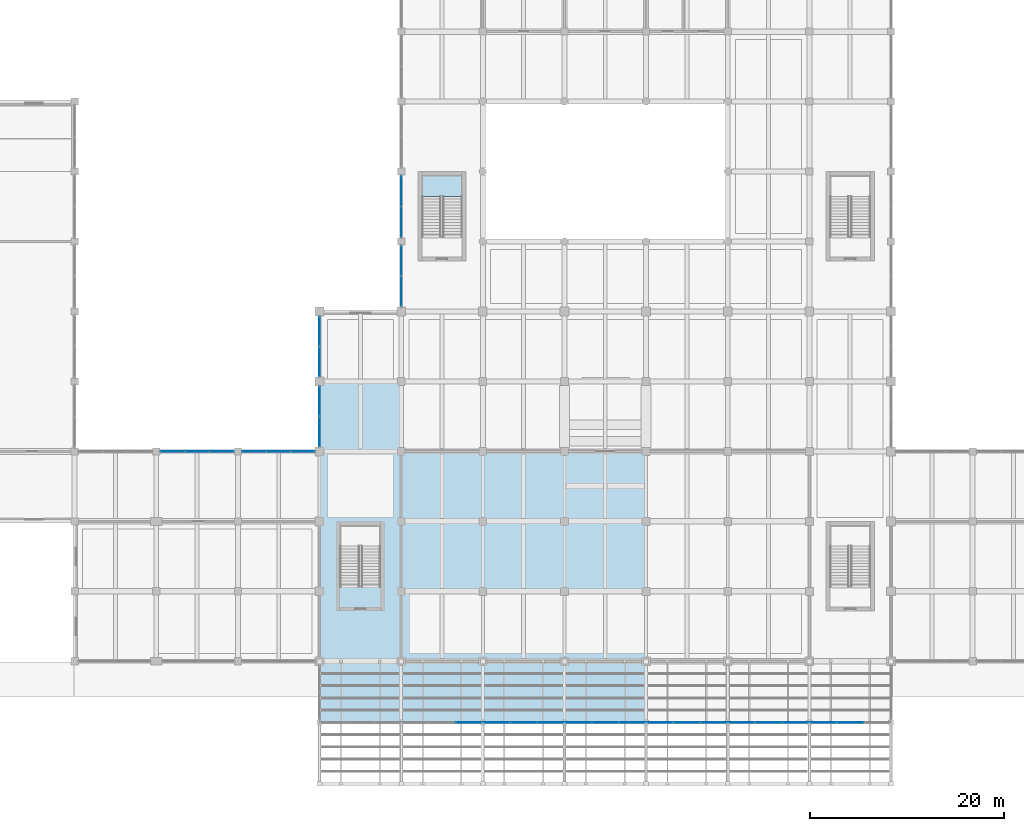
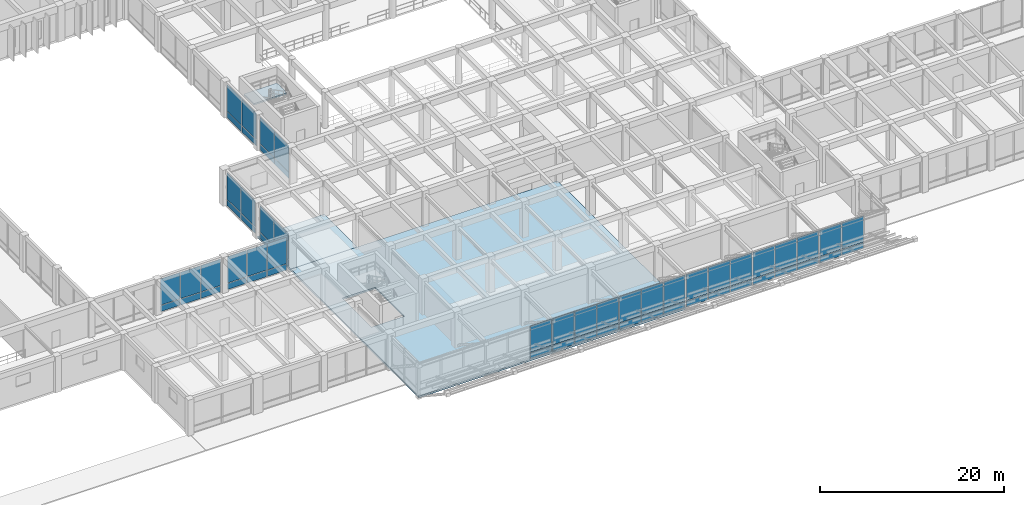
# One storey, part 28 of 52: 58 plates, 3 slabs, 13 elements without a shape of their own.
"""IFC4 building model written with IfcOpenShell, lengths in metres."""

import ifcopenshell
import ifcopenshell.guid

model = None  # the IFC model being written
_history = None  # IfcOwnerHistory: only IFC2X3 demands one
_inside = {}  # id of a spatial element -> (the spatial element, [elements in it])
_under = {}  # id of a project, library or spatial element -> (it, [spatial elements below it])
_declared = {}  # id of a project -> (the project, [libraries it declares])
_typed = {}  # id of a type object -> (the type object, [elements of that type])
_made_of = {}  # id of a material, layer set ... -> (it, [elements and type objects made of it])


def new_model(schema):
    """Start an empty IFC model of exactly this schema.

    Asked for "IFC4X3", IfcOpenShell would pick the latest addendum, in which some entities
    have other attributes; the version numbers below select the first issue.
    IFC2X3 requires an IfcOwnerHistory on every rooted entity: one is made here for all.
    """
    global model, _history
    if schema == "IFC4X3":
        model = ifcopenshell.file(schema_version=(4, 3, 0, 0))
    else:
        model = ifcopenshell.file(schema=schema)
    _inside.clear()
    _under.clear()
    _declared.clear()
    _typed.clear()
    _made_of.clear()
    _history = None
    if model.schema == "IFC2X3":
        org = make("IfcOrganization", Name="unknown")
        user = make(
            "IfcPersonAndOrganization",
            ThePerson=make("IfcPerson", FamilyName="unknown"),
            TheOrganization=org,
        )
        app = make(
            "IfcApplication",
            ApplicationDeveloper=org,
            Version="unknown",
            ApplicationFullName="unknown",
            ApplicationIdentifier="unknown",
        )
        _history = make(
            "IfcOwnerHistory",
            OwningUser=user,
            OwningApplication=app,
            ChangeAction="ADDED",
            CreationDate=0,
        )
    return model


def make(cls, **values):
    """One entity of the class cls with the attributes given. An attribute that is None is left unset."""
    return model.create_entity(
        cls, **{name: value for name, value in values.items() if value is not None}
    )


def rooted(cls, **values):
    """An entity with a GlobalId (a new one), such as an element, a storey or a relation."""
    return make(cls, GlobalId=ifcopenshell.guid.new(), OwnerHistory=_history, **values)


def si_unit(unit_type, name, prefix=None):
    """IfcSIUnit, for example si_unit("LENGTHUNIT", "METRE", prefix="MILLI")."""
    return make("IfcSIUnit", UnitType=unit_type, Prefix=prefix, Name=name)


def assignment(units):
    """IfcUnitAssignment: the units of a project."""
    return None if units is None else make("IfcUnitAssignment", Units=units)


def point(xyz):
    """IfcCartesianPoint."""
    return None if xyz is None else make("IfcCartesianPoint", Coordinates=xyz)


def direction(xyz):
    """IfcDirection."""
    return None if xyz is None else make("IfcDirection", DirectionRatios=xyz)


def frame(location, z_axis=None, x_axis=None):
    """IfcAxis2Placement3D, a coordinate frame: its origin and axes. An axis left out is left unset."""
    return make(
        "IfcAxis2Placement3D",
        Location=point(location),
        Axis=direction(z_axis),
        RefDirection=direction(x_axis),
    )


def frame_2d(location, x_axis=None):
    """IfcAxis2Placement2D, a coordinate frame in the plane: its origin and x axis."""
    return make(
        "IfcAxis2Placement2D", Location=point(location), RefDirection=direction(x_axis)
    )


def origin():
    """The frame at (0, 0, 0) with its axes left unset."""
    return frame((0.0, 0.0, 0.0))


def origin_2d():
    """The frame at (0, 0) in the plane with its x axis left unset."""
    return frame_2d((0.0, 0.0))


def place(relative_to, where):
    """IfcLocalPlacement: puts the frame where relative to a parent placement (None: the world)."""
    return make(
        "IfcLocalPlacement", PlacementRelTo=relative_to, RelativePlacement=where
    )


def context(
    kind, dimensions, precision=None, world=None, true_north=None, identifier=None
):
    """IfcGeometricRepresentationContext, for example the 3D "Model" context."""
    return make(
        "IfcGeometricRepresentationContext",
        ContextIdentifier=identifier,
        ContextType=kind,
        CoordinateSpaceDimension=dimensions,
        Precision=precision,
        WorldCoordinateSystem=world,
        TrueNorth=true_north,
    )


def subcontext(parent, identifier, kind, view, scale=None):
    """IfcGeometricRepresentationSubContext, for example "Body" below "Model"."""
    return make(
        "IfcGeometricRepresentationSubContext",
        ContextIdentifier=identifier,
        ContextType=kind,
        ParentContext=parent,
        TargetScale=scale,
        TargetView=view,
    )


def project(units=None, contexts=None):
    """IfcProject with its units and contexts."""
    return rooted(
        "IfcProject",
        Name="project",
        RepresentationContexts=contexts,
        UnitsInContext=assignment(units),
    )


def spatial(cls, under=None, at=None, **own):
    """A site, building, storey or space (cls), placed at a placement, below another one or the project."""
    s = rooted(cls, ObjectPlacement=at, **own)
    if under is not None:
        _under.setdefault(under.id(), (under, []))[1].append(s)
    return s


def polyline(points):
    """IfcPolyline through the points."""
    return make("IfcPolyline", Points=[point(p) for p in points])


def profile(cls, at=None, kind="AREA", **sizes):
    """A parametric profile (cls). Its sizes go by their IFC names, for example OverallWidth=200.0."""
    return make(cls, ProfileType=kind, Position=at, **sizes)


def rectangle(**sizes):
    """IfcRectangleProfileDef."""
    return profile("IfcRectangleProfileDef", **sizes)


def outline(outer, holes=None, kind="AREA"):
    """IfcArbitraryClosedProfileDef: a profile drawn as a closed curve; with holes, ...WithVoids."""
    if holes is None:
        return make("IfcArbitraryClosedProfileDef", ProfileType=kind, OuterCurve=outer)
    return make(
        "IfcArbitraryProfileDefWithVoids",
        ProfileType=kind,
        OuterCurve=outer,
        InnerCurves=holes,
    )


def extrude(swept, where, along, depth):
    """IfcExtrudedAreaSolid: the profile swept, set in the frame where, extruded along a direction by depth."""
    return make(
        "IfcExtrudedAreaSolid",
        SweptArea=swept,
        Position=where,
        ExtrudedDirection=direction(along),
        Depth=depth,
    )


def shape(context_of_items, identifier, shape_type, items):
    """IfcShapeRepresentation: the items that make up one representation, for example the "Body"."""
    return make(
        "IfcShapeRepresentation",
        ContextOfItems=context_of_items,
        RepresentationIdentifier=identifier,
        RepresentationType=shape_type,
        Items=items,
    )


def material(Name=None, Category=None):
    """IfcMaterial."""
    return make("IfcMaterial", Name=Name, Category=Category)


def layer(
    of_material, thickness, ventilated=None, Name=None, Category=None, Priority=None
):
    """IfcMaterialLayer: one layer of a wall or slab, of a material (None: an air gap)."""
    return make(
        "IfcMaterialLayer",
        Material=of_material,
        LayerThickness=thickness,
        IsVentilated=ventilated,
        Name=Name,
        Category=Category,
        Priority=Priority,
    )


def layer_set(layers, Name=None):
    """IfcMaterialLayerSet."""
    return make("IfcMaterialLayerSet", MaterialLayers=layers, LayerSetName=Name)


def made_of(thing, what):
    """Note that an element or type object is made of a material, layer set ...; save() writes the relation."""
    if what is not None:
        _made_of.setdefault(what.id(), (what, []))[1].append(thing)
    return thing


def type_object(cls, material=None, **own):
    """A type object (cls), such as IfcWallType, which elements share."""
    return made_of(rooted(cls, **own), material)


def element(
    cls,
    number,
    at=None,
    inside=None,
    cuts=None,
    type_object=None,
    material=None,
    context=None,
    identifier="Body",
    shape_type=None,
    held_by="IfcProductDefinitionShape",
    body=None,
    shapes=None,
    **own,
):
    """One element of the class cls, such as IfcWall. Its Tag is "e" and its number.

    at: its placement. inside: the storey or other place that contains it. cuts: it is an
    opening in that element (IfcRelVoidsElement). A single representation is given by context,
    identifier, shape_type and body (its items); several are given by shapes. held_by: the class
    of the entity that holds the representations. save() writes the other relations.
    """
    e = rooted(cls, Tag="e%d" % number, ObjectPlacement=at, **own)
    if body is not None:
        shapes = [shape(context, identifier, shape_type, body)]
    if shapes is not None:
        e.Representation = make(held_by, Representations=shapes)
    if inside is not None:
        _inside.setdefault(inside.id(), (inside, []))[1].append(e)
    if cuts is not None:
        rooted(
            "IfcRelVoidsElement", RelatingBuildingElement=cuts, RelatedOpeningElement=e
        )
    if type_object is not None:
        _typed.setdefault(type_object.id(), (type_object, []))[1].append(e)
    return made_of(e, material)


def aggregate(whole, parts):
    """IfcRelAggregates: a whole, such as a stair, and the parts it consists of."""
    return rooted("IfcRelAggregates", RelatingObject=whole, RelatedObjects=parts)


def save(model, path):
    """Write the relations noted so far, then the file.

    IfcRelAggregates (storeys below a building ...), IfcRelContainedInSpatialStructure (elements
    in a storey), IfcRelDefinesByType, IfcRelAssociatesMaterial and IfcRelDeclares: one each for
    every whole, place, type object, material and project.
    """
    for whole, parts in _under.values():
        aggregate(whole, parts)
    for where, things in _inside.values():
        rooted(
            "IfcRelContainedInSpatialStructure",
            RelatedElements=things,
            RelatingStructure=where,
        )
    for kind, things in _typed.values():
        rooted("IfcRelDefinesByType", RelatedObjects=things, RelatingType=kind)
    for what, things in _made_of.values():
        rooted("IfcRelAssociatesMaterial", RelatedObjects=things, RelatingMaterial=what)
    for by, libraries in _declared.values():
        rooted("IfcRelDeclares", RelatingContext=by, RelatedDefinitions=libraries)
    model.write(path)


model = new_model("IFC4")

# Units and contexts
model_context = context("Model", 3, precision=1e-05, world=origin(), true_north=direction((0.0, 1.0)))
body_context = subcontext(model_context, "Body", "Model", "MODEL_VIEW")
ifc_project = project(units=[si_unit("LENGTHUNIT", "METRE"), si_unit("AREAUNIT", "SQUARE_METRE"), si_unit("VOLUMEUNIT", "CUBIC_METRE"), si_unit("PLANEANGLEUNIT", "RADIAN"), si_unit("MASSUNIT", "GRAM", prefix="KILO")], contexts=[model_context])

# Site, building, storey
site_placement = place(None, origin())
site = spatial("IfcSite", under=ifc_project, at=site_placement, CompositionType="ELEMENT")
building_placement = place(site_placement, origin())
building = spatial("IfcBuilding", under=site, at=building_placement, Name="Kenerak Square Central Library", CompositionType="ELEMENT")
storey_placement = place(building_placement, frame((0.0, 0.0, 4.800048828125)))
storey = spatial("IfcBuildingStorey", under=building, at=storey_placement, Name="L01", CompositionType="ELEMENT", Elevation=4.800048828125)

# Slabs
ifc_material_1 = material(Name="Concrete C40/50", Category="concrete")
ifc_layer_1 = layer(ifc_material_1, 0.22509765625)
ifc_layer_set_1 = layer_set([ifc_layer_1], Name="Concrete C40/50")
slab_type_1 = type_object("IfcSlabType", Name="General Reading Room Slab FS-225 C40/50", PredefinedType="FLOOR", material=ifc_layer_set_1)
slab_1_placement = place(storey_placement, frame((0.0, 0.0, -0.22509765625)))
element("IfcSlab", 1, at=slab_1_placement, inside=storey, type_object=slab_type_1, Name="V1 Floor Slab L01 007", PredefinedType="FLOOR", context=body_context, shape_type="SweptSolid", body=[
    extrude(outline(polyline([(58.39990234375, 10.5), (58.39990234375, 38.39990234375), (92.0, 38.39990234375), (92.0, 10.5), (58.39990234375, 10.5)]), holes=[polyline([(64.679931640625, 24.449951171875), (64.679931640625, 30.800048828125), (60.52001953125, 30.800048828125), (60.52001953125, 24.449951171875), (64.679931640625, 24.449951171875)])]), origin(), (0.0, 0.0, 1.0), 0.22509765625),
])
slab_2_placement = place(storey_placement, frame((0.0, 0.0, -0.22509765625)))
element("IfcSlab", 2, at=slab_2_placement, inside=storey, type_object=slab_type_1, Name="V1 Floor Slab L01 009", PredefinedType="FLOOR", context=body_context, shape_type="SweptSolid", body=[
    extrude(outline(polyline([(66.800048828125, 38.39990234375), (66.800048828125, 45.60009765625), (58.39990234375, 45.60009765625), (58.39990234375, 38.39990234375), (66.800048828125, 38.39990234375)])), origin(), (0.0, 0.0, 1.0), 0.22509765625),
])

# Curtain wall, plates
ifc_material_2 = material(Name="Anodised aluminium and solar-control low-E glazing", Category="aluminium")
curtain_wall_type_1 = type_object("IfcCurtainWallType", Name="Curtain Wall CW-V4-63x45 6375x4500", PredefinedType="USERDEFINED", material=ifc_material_2)
curtain_wall_1_placement = place(storey_placement, origin())
curtain_wall_1 = element("IfcCurtainWall", 3, at=curtain_wall_1_placement, inside=storey, type_object=curtain_wall_type_1, Name="Curtain Wall CW-V4-63x45 L01 0023", ObjectType="CURTAIN WALL", PredefinedType="USERDEFINED")
ifc_material_3 = material(Name="Solar-control low-E laminated double glazing", Category="glass")
ifc_layer_2 = layer(ifc_material_3, 0.02392578125)
ifc_layer_set_2 = layer_set([ifc_layer_2], Name="Solar-control low-E laminated double glazing")
plate_type_1 = type_object("IfcPlateType", Name="Low-E Double Glazed Curtain Panel CP-24", PredefinedType="CURTAIN_PANEL", material=ifc_layer_set_2)
plate_1_placement = place(storey_placement, frame((66.800048828125, 54.860107421875, 0.06494140625), z_axis=(0.0, 0.0, 1.0), x_axis=(0.0, 1.0, 0.0)))
plate_1 = element("IfcPlate", 4, at=plate_1_placement, type_object=plate_type_1, Name="CW-V4-63x45 Panel 1.1", PredefinedType="CURTAIN_PANEL", context=body_context, shape_type="SweptSolid", body=[
    extrude(rectangle(XDim=3.090087890625, YDim=0.02392578125, at=origin_2d()), origin(), (0.0, 0.0, 1.0), 0.802490234375),
])
plate_2_placement = place(storey_placement, frame((66.800048828125, 54.860107421875, 0.932373046875), z_axis=(0.0, 0.0, 1.0), x_axis=(0.0, 1.0, 0.0)))
plate_2 = element("IfcPlate", 5, at=plate_2_placement, type_object=plate_type_1, Name="CW-V4-63x45 Panel 1.2", PredefinedType="CURTAIN_PANEL", context=body_context, shape_type="SweptSolid", body=[
    extrude(rectangle(XDim=3.090087890625, YDim=0.02392578125, at=origin_2d()), origin(), (0.0, 0.0, 1.0), 3.50244140625),
])
plate_3_placement = place(storey_placement, frame((66.800048828125, 58.014892578125, 0.06494140625), z_axis=(0.0, 0.0, 1.0), x_axis=(0.0, 1.0, 0.0)))
plate_3 = element("IfcPlate", 6, at=plate_3_placement, type_object=plate_type_1, Name="CW-V4-63x45 Panel 2.1", PredefinedType="CURTAIN_PANEL", context=body_context, shape_type="SweptSolid", body=[
    extrude(rectangle(XDim=3.090087890625, YDim=0.02392578125, at=origin_2d()), origin(), (0.0, 0.0, 1.0), 0.802490234375),
])
plate_4_placement = place(storey_placement, frame((66.800048828125, 58.014892578125, 0.932373046875), z_axis=(0.0, 0.0, 1.0), x_axis=(0.0, 1.0, 0.0)))
plate_4 = element("IfcPlate", 7, at=plate_4_placement, type_object=plate_type_1, Name="CW-V4-63x45 Panel 2.2", PredefinedType="CURTAIN_PANEL", context=body_context, shape_type="SweptSolid", body=[
    extrude(rectangle(XDim=3.090087890625, YDim=0.02392578125, at=origin_2d()), origin(), (0.0, 0.0, 1.0), 3.50244140625),
])
aggregate(curtain_wall_1, [plate_1, plate_2, plate_3, plate_4])

curtain_wall_type_2 = type_object("IfcCurtainWallType", Name="Curtain Wall CW-V4-64x45 6450x4500", PredefinedType="USERDEFINED", material=ifc_material_2)
curtain_wall_2_placement = place(storey_placement, origin())
curtain_wall_2 = element("IfcCurtainWall", 8, at=curtain_wall_2_placement, inside=storey, type_object=curtain_wall_type_2, Name="Curtain Wall CW-V4-64x45 L01 0024", ObjectType="CURTAIN WALL", PredefinedType="USERDEFINED")
plate_5_placement = place(storey_placement, frame((66.800048828125, 62.003662109375, 0.06494140625), z_axis=(0.0, 0.0, 1.0), x_axis=(0.0, 1.0, 0.0)))
plate_5 = element("IfcPlate", 9, at=plate_5_placement, type_object=plate_type_1, Name="CW-V4-64x45 Panel 1.1", PredefinedType="CURTAIN_PANEL", context=body_context, shape_type="SweptSolid", body=[
    extrude(rectangle(XDim=3.12744140625, YDim=0.02392578125, at=origin_2d()), origin(), (0.0, 0.0, 1.0), 0.802490234375),
])
plate_6_placement = place(storey_placement, frame((66.800048828125, 62.003662109375, 0.932373046875), z_axis=(0.0, 0.0, 1.0), x_axis=(0.0, 1.0, 0.0)))
plate_6 = element("IfcPlate", 10, at=plate_6_placement, type_object=plate_type_1, Name="CW-V4-64x45 Panel 1.2", PredefinedType="CURTAIN_PANEL", context=body_context, shape_type="SweptSolid", body=[
    extrude(rectangle(XDim=3.12744140625, YDim=0.02392578125, at=origin_2d()), origin(), (0.0, 0.0, 1.0), 3.50244140625),
])
plate_7_placement = place(storey_placement, frame((66.800048828125, 65.1962890625, 0.06494140625), z_axis=(0.0, 0.0, 1.0), x_axis=(0.0, 1.0, 0.0)))
plate_7 = element("IfcPlate", 11, at=plate_7_placement, type_object=plate_type_1, Name="CW-V4-64x45 Panel 2.1", PredefinedType="CURTAIN_PANEL", context=body_context, shape_type="SweptSolid", body=[
    extrude(rectangle(XDim=3.12744140625, YDim=0.02392578125, at=origin_2d()), origin(), (0.0, 0.0, 1.0), 0.802490234375),
])
plate_8_placement = place(storey_placement, frame((66.800048828125, 65.1962890625, 0.932373046875), z_axis=(0.0, 0.0, 1.0), x_axis=(0.0, 1.0, 0.0)))
plate_8 = element("IfcPlate", 12, at=plate_8_placement, type_object=plate_type_1, Name="CW-V4-64x45 Panel 2.2", PredefinedType="CURTAIN_PANEL", context=body_context, shape_type="SweptSolid", body=[
    extrude(rectangle(XDim=3.12744140625, YDim=0.02392578125, at=origin_2d()), origin(), (0.0, 0.0, 1.0), 3.50244140625),
])
aggregate(curtain_wall_2, [plate_5, plate_6, plate_7, plate_8])

curtain_wall_type_3 = type_object("IfcCurtainWallType", Name="Curtain Wall CW-V6-76x45 7650x4500", PredefinedType="USERDEFINED", material=ifc_material_2)
curtain_wall_3_placement = place(storey_placement, origin())
curtain_wall_3 = element("IfcCurtainWall", 13, at=curtain_wall_3_placement, inside=storey, type_object=curtain_wall_type_3, Name="Curtain Wall CW-V6-76x45 L01 0065", ObjectType="CURTAIN WALL", PredefinedType="USERDEFINED")
plate_9_placement = place(storey_placement, frame((43.266357421875, 38.39990234375, 0.06494140625), z_axis=(0.0, 0.0, 1.0), x_axis=(1.0, 0.0, 0.0)))
plate_9 = element("IfcPlate", 14, at=plate_9_placement, type_object=plate_type_1, Name="CW-V6-76x45 Panel 1.1", PredefinedType="CURTAIN_PANEL", context=body_context, shape_type="SweptSolid", body=[
    extrude(rectangle(XDim=2.452392578125, YDim=0.02392578125, at=origin_2d()), origin(), (0.0, 0.0, 1.0), 0.802490234375),
])
plate_10_placement = place(storey_placement, frame((43.266357421875, 38.39990234375, 0.932373046875), z_axis=(0.0, 0.0, 1.0), x_axis=(1.0, 0.0, 0.0)))
plate_10 = element("IfcPlate", 15, at=plate_10_placement, type_object=plate_type_1, Name="CW-V6-76x45 Panel 1.2", PredefinedType="CURTAIN_PANEL", context=body_context, shape_type="SweptSolid", body=[
    extrude(rectangle(XDim=2.452392578125, YDim=0.02392578125, at=origin_2d()), origin(), (0.0, 0.0, 1.0), 3.50244140625),
])
plate_11_placement = place(storey_placement, frame((45.800048828125, 38.39990234375, 0.06494140625), z_axis=(0.0, 0.0, 1.0), x_axis=(1.0, 0.0, 0.0)))
plate_11 = element("IfcPlate", 16, at=plate_11_placement, type_object=plate_type_1, Name="CW-V6-76x45 Panel 2.1", PredefinedType="CURTAIN_PANEL", context=body_context, shape_type="SweptSolid", body=[
    extrude(rectangle(XDim=2.485107421875, YDim=0.02392578125, at=origin_2d()), origin(), (0.0, 0.0, 1.0), 0.802490234375),
])
plate_12_placement = place(storey_placement, frame((45.800048828125, 38.39990234375, 0.932373046875), z_axis=(0.0, 0.0, 1.0), x_axis=(1.0, 0.0, 0.0)))
plate_12 = element("IfcPlate", 17, at=plate_12_placement, type_object=plate_type_1, Name="CW-V6-76x45 Panel 2.2", PredefinedType="CURTAIN_PANEL", context=body_context, shape_type="SweptSolid", body=[
    extrude(rectangle(XDim=2.485107421875, YDim=0.02392578125, at=origin_2d()), origin(), (0.0, 0.0, 1.0), 3.50244140625),
])
plate_13_placement = place(storey_placement, frame((48.333740234375, 38.39990234375, 0.06494140625), z_axis=(0.0, 0.0, 1.0), x_axis=(1.0, 0.0, 0.0)))
plate_13 = element("IfcPlate", 18, at=plate_13_placement, type_object=plate_type_1, Name="CW-V6-76x45 Panel 3.1", PredefinedType="CURTAIN_PANEL", context=body_context, shape_type="SweptSolid", body=[
    extrude(rectangle(XDim=2.452392578125, YDim=0.02392578125, at=origin_2d()), origin(), (0.0, 0.0, 1.0), 0.802490234375),
])
plate_14_placement = place(storey_placement, frame((48.333740234375, 38.39990234375, 0.932373046875), z_axis=(0.0, 0.0, 1.0), x_axis=(1.0, 0.0, 0.0)))
plate_14 = element("IfcPlate", 19, at=plate_14_placement, type_object=plate_type_1, Name="CW-V6-76x45 Panel 3.2", PredefinedType="CURTAIN_PANEL", context=body_context, shape_type="SweptSolid", body=[
    extrude(rectangle(XDim=2.452392578125, YDim=0.02392578125, at=origin_2d()), origin(), (0.0, 0.0, 1.0), 3.50244140625),
])
aggregate(curtain_wall_3, [plate_9, plate_10, plate_11, plate_12, plate_13, plate_14])

curtain_wall_type_4 = type_object("IfcCurtainWallType", Name="Curtain Wall CW-V6-75x45 7575x4500", PredefinedType="USERDEFINED", material=ifc_material_2)
curtain_wall_4_placement = place(storey_placement, origin())
curtain_wall_4 = element("IfcCurtainWall", 20, at=curtain_wall_4_placement, inside=storey, type_object=curtain_wall_type_4, Name="Curtain Wall CW-V6-75x45 L01 0066", ObjectType="CURTAIN WALL", PredefinedType="USERDEFINED")
plate_15_placement = place(storey_placement, frame((51.65380859375, 38.39990234375, 0.06494140625), z_axis=(0.0, 0.0, 1.0), x_axis=(1.0, 0.0, 0.0)))
plate_15 = element("IfcPlate", 21, at=plate_15_placement, type_object=plate_type_1, Name="CW-V6-75x45 Panel 1.1", PredefinedType="CURTAIN_PANEL", context=body_context, shape_type="SweptSolid", body=[
    extrude(rectangle(XDim=2.427490234375, YDim=0.02392578125, at=origin_2d()), origin(), (0.0, 0.0, 1.0), 0.802490234375),
])
plate_16_placement = place(storey_placement, frame((51.65380859375, 38.39990234375, 0.932373046875), z_axis=(0.0, 0.0, 1.0), x_axis=(1.0, 0.0, 0.0)))
plate_16 = element("IfcPlate", 22, at=plate_16_placement, type_object=plate_type_1, Name="CW-V6-75x45 Panel 1.2", PredefinedType="CURTAIN_PANEL", context=body_context, shape_type="SweptSolid", body=[
    extrude(rectangle(XDim=2.427490234375, YDim=0.02392578125, at=origin_2d()), origin(), (0.0, 0.0, 1.0), 3.50244140625),
])
plate_17_placement = place(storey_placement, frame((54.16259765625, 38.39990234375, 0.06494140625), z_axis=(0.0, 0.0, 1.0), x_axis=(1.0, 0.0, 0.0)))
plate_17 = element("IfcPlate", 23, at=plate_17_placement, type_object=plate_type_1, Name="CW-V6-75x45 Panel 2.1", PredefinedType="CURTAIN_PANEL", context=body_context, shape_type="SweptSolid", body=[
    extrude(rectangle(XDim=2.4599609375, YDim=0.02392578125, at=origin_2d()), origin(), (0.0, 0.0, 1.0), 0.802490234375),
])
plate_18_placement = place(storey_placement, frame((54.16259765625, 38.39990234375, 0.932373046875), z_axis=(0.0, 0.0, 1.0), x_axis=(1.0, 0.0, 0.0)))
plate_18 = element("IfcPlate", 24, at=plate_18_placement, type_object=plate_type_1, Name="CW-V6-75x45 Panel 2.2", PredefinedType="CURTAIN_PANEL", context=body_context, shape_type="SweptSolid", body=[
    extrude(rectangle(XDim=2.4599609375, YDim=0.02392578125, at=origin_2d()), origin(), (0.0, 0.0, 1.0), 3.50244140625),
])
plate_19_placement = place(storey_placement, frame((56.671142578125, 38.39990234375, 0.06494140625), z_axis=(0.0, 0.0, 1.0), x_axis=(1.0, 0.0, 0.0)))
plate_19 = element("IfcPlate", 25, at=plate_19_placement, type_object=plate_type_1, Name="CW-V6-75x45 Panel 3.1", PredefinedType="CURTAIN_PANEL", context=body_context, shape_type="SweptSolid", body=[
    extrude(rectangle(XDim=2.427490234375, YDim=0.02392578125, at=origin_2d()), origin(), (0.0, 0.0, 1.0), 0.802490234375),
])
plate_20_placement = place(storey_placement, frame((56.671142578125, 38.39990234375, 0.932373046875), z_axis=(0.0, 0.0, 1.0), x_axis=(1.0, 0.0, 0.0)))
plate_20 = element("IfcPlate", 26, at=plate_20_placement, type_object=plate_type_1, Name="CW-V6-75x45 Panel 3.2", PredefinedType="CURTAIN_PANEL", context=body_context, shape_type="SweptSolid", body=[
    extrude(rectangle(XDim=2.427490234375, YDim=0.02392578125, at=origin_2d()), origin(), (0.0, 0.0, 1.0), 3.50244140625),
])
aggregate(curtain_wall_4, [plate_15, plate_16, plate_17, plate_18, plate_19, plate_20])

# Stair, slab
stair_type = type_object("IfcStairType", Name="Exit Dogleg Stair ST-480 C40/50", PredefinedType="HALF_TURN_STAIR", material=ifc_material_1)
stair_placement = place(storey_placement, origin())
stair = element("IfcStair", 27, at=stair_placement, inside=storey, type_object=stair_type, Name="L01 Protected Exit Stair ST-08", PredefinedType="HALF_TURN_STAIR")
ifc_layer_3 = layer(ifc_material_1, 0.199951171875)
ifc_layer_set_3 = layer_set([ifc_layer_3], Name="Concrete C40/50")
slab_type_2 = type_object("IfcSlabType", Name="Stair Half-Landing Slab LD-200 C40/50", PredefinedType="LANDING", material=ifc_layer_set_3)
slab_3_placement = place(storey_placement, frame((0.0, 0.0, 2.199951171875)))
slab_3 = element("IfcSlab", 28, at=slab_3_placement, type_object=slab_type_2, Name="ST-08 Landing 1", PredefinedType="LANDING", context=body_context, shape_type="SweptSolid", body=[
    extrude(outline(polyline([(73.080078125, 64.64990234375), (73.080078125, 66.800048828125), (68.919921875, 66.800048828125), (68.919921875, 64.64990234375), (73.080078125, 64.64990234375)])), origin(), (0.0, 0.0, 1.0), 0.199951171875),
])
aggregate(stair, [slab_3])

# Curtain wall, plates
curtain_wall_type_5 = type_object("IfcCurtainWallType", Name="Curtain Wall CW-V1-63x45 6300x4500", PredefinedType="USERDEFINED", material=ifc_material_2)
curtain_wall_5_placement = place(storey_placement, origin())
curtain_wall_5 = element("IfcCurtainWall", 29, at=curtain_wall_5_placement, inside=storey, type_object=curtain_wall_type_5, Name="Curtain Wall CW-V1-63x45 L01 0021", ObjectType="CURTAIN WALL", PredefinedType="USERDEFINED")
ifc_material_4 = material(Name="Triple-laminated solar-control low-E glazing", Category="glass")
ifc_layer_4 = layer(ifc_material_4, 0.031982421875)
ifc_layer_set_4 = layer_set([ifc_layer_4], Name="Triple-laminated solar-control low-E glazing")
plate_type_2 = type_object("IfcPlateType", Name="Triple-Laminated Reading Hall Panel CP-32", PredefinedType="CURTAIN_PANEL", material=ifc_layer_set_4)
plate_21_placement = place(storey_placement, frame((58.39990234375, 40.44384765625, 0.074951171875), z_axis=(0.0, 0.0, 1.0), x_axis=(0.0, 1.0, 0.0)))
plate_21 = element("IfcPlate", 30, at=plate_21_placement, type_object=plate_type_2, Name="CW-V1-63x45 Panel 1.1", PredefinedType="CURTAIN_PANEL", context=body_context, shape_type="SweptSolid", body=[
    extrude(rectangle(XDim=3.03759765625, YDim=0.031982421875, at=origin_2d()), origin(), (0.0, 0.0, 1.0), 0.78759765625),
])
plate_22_placement = place(storey_placement, frame((58.39990234375, 40.44384765625, 0.9375), z_axis=(0.0, 0.0, 1.0), x_axis=(0.0, 1.0, 0.0)))
plate_22 = element("IfcPlate", 31, at=plate_22_placement, type_object=plate_type_2, Name="CW-V1-63x45 Panel 1.2", PredefinedType="CURTAIN_PANEL", context=body_context, shape_type="SweptSolid", body=[
    extrude(rectangle(XDim=3.03759765625, YDim=0.031982421875, at=origin_2d()), origin(), (0.0, 0.0, 1.0), 3.487548828125),
])
plate_23_placement = place(storey_placement, frame((58.39990234375, 43.55615234375, 0.074951171875), z_axis=(0.0, 0.0, 1.0), x_axis=(0.0, 1.0, 0.0)))
plate_23 = element("IfcPlate", 32, at=plate_23_placement, type_object=plate_type_2, Name="CW-V1-63x45 Panel 2.1", PredefinedType="CURTAIN_PANEL", context=body_context, shape_type="SweptSolid", body=[
    extrude(rectangle(XDim=3.03759765625, YDim=0.031982421875, at=origin_2d()), origin(), (0.0, 0.0, 1.0), 0.78759765625),
])
plate_24_placement = place(storey_placement, frame((58.39990234375, 43.55615234375, 0.9375), z_axis=(0.0, 0.0, 1.0), x_axis=(0.0, 1.0, 0.0)))
plate_24 = element("IfcPlate", 33, at=plate_24_placement, type_object=plate_type_2, Name="CW-V1-63x45 Panel 2.2", PredefinedType="CURTAIN_PANEL", context=body_context, shape_type="SweptSolid", body=[
    extrude(rectangle(XDim=3.03759765625, YDim=0.031982421875, at=origin_2d()), origin(), (0.0, 0.0, 1.0), 3.487548828125),
])
aggregate(curtain_wall_5, [plate_21, plate_22, plate_23, plate_24])

curtain_wall_6_placement = place(storey_placement, origin())
curtain_wall_6 = element("IfcCurtainWall", 34, at=curtain_wall_6_placement, inside=storey, type_object=curtain_wall_type_5, Name="Curtain Wall CW-V1-63x45 L01 0022", ObjectType="CURTAIN WALL", PredefinedType="USERDEFINED")
plate_25_placement = place(storey_placement, frame((58.39990234375, 47.643798828125, 0.074951171875), z_axis=(0.0, 0.0, 1.0), x_axis=(0.0, 1.0, 0.0)))
plate_25 = element("IfcPlate", 35, at=plate_25_placement, type_object=plate_type_2, Name="CW-V1-63x45 Panel 1.1", PredefinedType="CURTAIN_PANEL", context=body_context, shape_type="SweptSolid", body=[
    extrude(rectangle(XDim=3.03759765625, YDim=0.031982421875, at=origin_2d()), origin(), (0.0, 0.0, 1.0), 0.78759765625),
])
plate_26_placement = place(storey_placement, frame((58.39990234375, 47.643798828125, 0.9375), z_axis=(0.0, 0.0, 1.0), x_axis=(0.0, 1.0, 0.0)))
plate_26 = element("IfcPlate", 36, at=plate_26_placement, type_object=plate_type_2, Name="CW-V1-63x45 Panel 1.2", PredefinedType="CURTAIN_PANEL", context=body_context, shape_type="SweptSolid", body=[
    extrude(rectangle(XDim=3.03759765625, YDim=0.031982421875, at=origin_2d()), origin(), (0.0, 0.0, 1.0), 3.487548828125),
])
plate_27_placement = place(storey_placement, frame((58.39990234375, 50.75634765625, 0.074951171875), z_axis=(0.0, 0.0, 1.0), x_axis=(0.0, 1.0, 0.0)))
plate_27 = element("IfcPlate", 37, at=plate_27_placement, type_object=plate_type_2, Name="CW-V1-63x45 Panel 2.1", PredefinedType="CURTAIN_PANEL", context=body_context, shape_type="SweptSolid", body=[
    extrude(rectangle(XDim=3.03759765625, YDim=0.031982421875, at=origin_2d()), origin(), (0.0, 0.0, 1.0), 0.78759765625),
])
plate_28_placement = place(storey_placement, frame((58.39990234375, 50.75634765625, 0.9375), z_axis=(0.0, 0.0, 1.0), x_axis=(0.0, 1.0, 0.0)))
plate_28 = element("IfcPlate", 38, at=plate_28_placement, type_object=plate_type_2, Name="CW-V1-63x45 Panel 2.2", PredefinedType="CURTAIN_PANEL", context=body_context, shape_type="SweptSolid", body=[
    extrude(rectangle(XDim=3.03759765625, YDim=0.031982421875, at=origin_2d()), origin(), (0.0, 0.0, 1.0), 3.487548828125),
])
aggregate(curtain_wall_6, [plate_25, plate_26, plate_27, plate_28])

curtain_wall_type_6 = type_object("IfcCurtainWallType", Name="Curtain Wall CW-V1-84x45 8400x4500", PredefinedType="USERDEFINED", material=ifc_material_2)
curtain_wall_7_placement = place(storey_placement, origin())
curtain_wall_7 = element("IfcCurtainWall", 39, at=curtain_wall_7_placement, inside=storey, type_object=curtain_wall_type_6, Name="Curtain Wall CW-V1-84x45 L01 0048", ObjectType="CURTAIN WALL", PredefinedType="USERDEFINED")
plate_29_placement = place(storey_placement, frame((113.0, 10.5, 0.074951171875), z_axis=(0.0, 0.0, 1.0), x_axis=(-1.0, 0.0, 0.0)))
plate_29 = element("IfcPlate", 40, at=plate_29_placement, type_object=plate_type_2, Name="CW-V1-84x45 Panel 2.1", PredefinedType="CURTAIN_PANEL", context=body_context, shape_type="SweptSolid", body=[
    extrude(rectangle(XDim=2.72509765625, YDim=0.031982421875, at=origin_2d()), origin(), (0.0, 0.0, 1.0), 0.78759765625),
])
plate_30_placement = place(storey_placement, frame((113.0, 10.5, 0.9375), z_axis=(0.0, 0.0, 1.0), x_axis=(-1.0, 0.0, 0.0)))
plate_30 = element("IfcPlate", 41, at=plate_30_placement, type_object=plate_type_2, Name="CW-V1-84x45 Panel 2.2", PredefinedType="CURTAIN_PANEL", context=body_context, shape_type="SweptSolid", body=[
    extrude(rectangle(XDim=2.72509765625, YDim=0.031982421875, at=origin_2d()), origin(), (0.0, 0.0, 1.0), 3.487548828125),
])
plate_31_placement = place(storey_placement, frame((110.21875, 10.5, 0.074951171875), z_axis=(0.0, 0.0, 1.0), x_axis=(-1.0, 0.0, 0.0)))
plate_31 = element("IfcPlate", 42, at=plate_31_placement, type_object=plate_type_2, Name="CW-V1-84x45 Panel 3.1", PredefinedType="CURTAIN_PANEL", context=body_context, shape_type="SweptSolid", body=[
    extrude(rectangle(XDim=2.6875, YDim=0.031982421875, at=origin_2d()), origin(), (0.0, 0.0, 1.0), 0.78759765625),
])
plate_32_placement = place(storey_placement, frame((110.21875, 10.5, 0.9375), z_axis=(0.0, 0.0, 1.0), x_axis=(-1.0, 0.0, 0.0)))
plate_32 = element("IfcPlate", 43, at=plate_32_placement, type_object=plate_type_2, Name="CW-V1-84x45 Panel 3.2", PredefinedType="CURTAIN_PANEL", context=body_context, shape_type="SweptSolid", body=[
    extrude(rectangle(XDim=2.6875, YDim=0.031982421875, at=origin_2d()), origin(), (0.0, 0.0, 1.0), 3.487548828125),
])
aggregate(curtain_wall_7, [plate_29, plate_30, plate_31, plate_32])

curtain_wall_8_placement = place(storey_placement, origin())
curtain_wall_8 = element("IfcCurtainWall", 44, at=curtain_wall_8_placement, inside=storey, type_object=curtain_wall_type_6, Name="Curtain Wall CW-V1-84x45 L01 0049", ObjectType="CURTAIN WALL", PredefinedType="USERDEFINED")
plate_33_placement = place(storey_placement, frame((107.38134765625, 10.5, 0.074951171875), z_axis=(0.0, 0.0, 1.0), x_axis=(-1.0, 0.0, 0.0)))
plate_33 = element("IfcPlate", 45, at=plate_33_placement, type_object=plate_type_2, Name="CW-V1-84x45 Panel 1.1", PredefinedType="CURTAIN_PANEL", context=body_context, shape_type="SweptSolid", body=[
    extrude(rectangle(XDim=2.6875, YDim=0.031982421875, at=origin_2d()), origin(), (0.0, 0.0, 1.0), 0.78759765625),
])
plate_34_placement = place(storey_placement, frame((107.38134765625, 10.5, 0.9375), z_axis=(0.0, 0.0, 1.0), x_axis=(-1.0, 0.0, 0.0)))
plate_34 = element("IfcPlate", 46, at=plate_34_placement, type_object=plate_type_2, Name="CW-V1-84x45 Panel 1.2", PredefinedType="CURTAIN_PANEL", context=body_context, shape_type="SweptSolid", body=[
    extrude(rectangle(XDim=2.6875, YDim=0.031982421875, at=origin_2d()), origin(), (0.0, 0.0, 1.0), 3.487548828125),
])
plate_35_placement = place(storey_placement, frame((104.60009765625, 10.5, 0.074951171875), z_axis=(0.0, 0.0, 1.0), x_axis=(-1.0, 0.0, 0.0)))
plate_35 = element("IfcPlate", 47, at=plate_35_placement, type_object=plate_type_2, Name="CW-V1-84x45 Panel 2.1", PredefinedType="CURTAIN_PANEL", context=body_context, shape_type="SweptSolid", body=[
    extrude(rectangle(XDim=2.72509765625, YDim=0.031982421875, at=origin_2d()), origin(), (0.0, 0.0, 1.0), 0.78759765625),
])
plate_36_placement = place(storey_placement, frame((104.60009765625, 10.5, 0.9375), z_axis=(0.0, 0.0, 1.0), x_axis=(-1.0, 0.0, 0.0)))
plate_36 = element("IfcPlate", 48, at=plate_36_placement, type_object=plate_type_2, Name="CW-V1-84x45 Panel 2.2", PredefinedType="CURTAIN_PANEL", context=body_context, shape_type="SweptSolid", body=[
    extrude(rectangle(XDim=2.72509765625, YDim=0.031982421875, at=origin_2d()), origin(), (0.0, 0.0, 1.0), 3.487548828125),
])
plate_37_placement = place(storey_placement, frame((101.81884765625, 10.5, 0.074951171875), z_axis=(0.0, 0.0, 1.0), x_axis=(-1.0, 0.0, 0.0)))
plate_37 = element("IfcPlate", 49, at=plate_37_placement, type_object=plate_type_2, Name="CW-V1-84x45 Panel 3.1", PredefinedType="CURTAIN_PANEL", context=body_context, shape_type="SweptSolid", body=[
    extrude(rectangle(XDim=2.6875, YDim=0.031982421875, at=origin_2d()), origin(), (0.0, 0.0, 1.0), 0.78759765625),
])
plate_38_placement = place(storey_placement, frame((101.81884765625, 10.5, 0.9375), z_axis=(0.0, 0.0, 1.0), x_axis=(-1.0, 0.0, 0.0)))
plate_38 = element("IfcPlate", 50, at=plate_38_placement, type_object=plate_type_2, Name="CW-V1-84x45 Panel 3.2", PredefinedType="CURTAIN_PANEL", context=body_context, shape_type="SweptSolid", body=[
    extrude(rectangle(XDim=2.6875, YDim=0.031982421875, at=origin_2d()), origin(), (0.0, 0.0, 1.0), 3.487548828125),
])
aggregate(curtain_wall_8, [plate_33, plate_34, plate_35, plate_36, plate_37, plate_38])

curtain_wall_9_placement = place(storey_placement, origin())
curtain_wall_9 = element("IfcCurtainWall", 51, at=curtain_wall_9_placement, inside=storey, type_object=curtain_wall_type_6, Name="Curtain Wall CW-V1-84x45 L01 0050", ObjectType="CURTAIN WALL", PredefinedType="USERDEFINED")
plate_39_placement = place(storey_placement, frame((98.981201171875, 10.5, 0.074951171875), z_axis=(0.0, 0.0, 1.0), x_axis=(-1.0, 0.0, 0.0)))
plate_39 = element("IfcPlate", 52, at=plate_39_placement, type_object=plate_type_2, Name="CW-V1-84x45 Panel 1.1", PredefinedType="CURTAIN_PANEL", context=body_context, shape_type="SweptSolid", body=[
    extrude(rectangle(XDim=2.6875, YDim=0.031982421875, at=origin_2d()), origin(), (0.0, 0.0, 1.0), 0.78759765625),
])
plate_40_placement = place(storey_placement, frame((98.981201171875, 10.5, 0.9375), z_axis=(0.0, 0.0, 1.0), x_axis=(-1.0, 0.0, 0.0)))
plate_40 = element("IfcPlate", 53, at=plate_40_placement, type_object=plate_type_2, Name="CW-V1-84x45 Panel 1.2", PredefinedType="CURTAIN_PANEL", context=body_context, shape_type="SweptSolid", body=[
    extrude(rectangle(XDim=2.6875, YDim=0.031982421875, at=origin_2d()), origin(), (0.0, 0.0, 1.0), 3.487548828125),
])
plate_41_placement = place(storey_placement, frame((96.199951171875, 10.5, 0.074951171875), z_axis=(0.0, 0.0, 1.0), x_axis=(-1.0, 0.0, 0.0)))
plate_41 = element("IfcPlate", 54, at=plate_41_placement, type_object=plate_type_2, Name="CW-V1-84x45 Panel 2.1", PredefinedType="CURTAIN_PANEL", context=body_context, shape_type="SweptSolid", body=[
    extrude(rectangle(XDim=2.72509765625, YDim=0.031982421875, at=origin_2d()), origin(), (0.0, 0.0, 1.0), 0.78759765625),
])
plate_42_placement = place(storey_placement, frame((96.199951171875, 10.5, 0.9375), z_axis=(0.0, 0.0, 1.0), x_axis=(-1.0, 0.0, 0.0)))
plate_42 = element("IfcPlate", 55, at=plate_42_placement, type_object=plate_type_2, Name="CW-V1-84x45 Panel 2.2", PredefinedType="CURTAIN_PANEL", context=body_context, shape_type="SweptSolid", body=[
    extrude(rectangle(XDim=2.72509765625, YDim=0.031982421875, at=origin_2d()), origin(), (0.0, 0.0, 1.0), 3.487548828125),
])
plate_43_placement = place(storey_placement, frame((93.418701171875, 10.5, 0.074951171875), z_axis=(0.0, 0.0, 1.0), x_axis=(-1.0, 0.0, 0.0)))
plate_43 = element("IfcPlate", 56, at=plate_43_placement, type_object=plate_type_2, Name="CW-V1-84x45 Panel 3.1", PredefinedType="CURTAIN_PANEL", context=body_context, shape_type="SweptSolid", body=[
    extrude(rectangle(XDim=2.6875, YDim=0.031982421875, at=origin_2d()), origin(), (0.0, 0.0, 1.0), 0.78759765625),
])
plate_44_placement = place(storey_placement, frame((93.418701171875, 10.5, 0.9375), z_axis=(0.0, 0.0, 1.0), x_axis=(-1.0, 0.0, 0.0)))
plate_44 = element("IfcPlate", 57, at=plate_44_placement, type_object=plate_type_2, Name="CW-V1-84x45 Panel 3.2", PredefinedType="CURTAIN_PANEL", context=body_context, shape_type="SweptSolid", body=[
    extrude(rectangle(XDim=2.6875, YDim=0.031982421875, at=origin_2d()), origin(), (0.0, 0.0, 1.0), 3.487548828125),
])
aggregate(curtain_wall_9, [plate_39, plate_40, plate_41, plate_42, plate_43, plate_44])

curtain_wall_10_placement = place(storey_placement, origin())
curtain_wall_10 = element("IfcCurtainWall", 58, at=curtain_wall_10_placement, inside=storey, type_object=curtain_wall_type_6, Name="Curtain Wall CW-V1-84x45 L01 0051", ObjectType="CURTAIN WALL", PredefinedType="USERDEFINED")
plate_45_placement = place(storey_placement, frame((90.581298828125, 10.5, 0.074951171875), z_axis=(0.0, 0.0, 1.0), x_axis=(-1.0, 0.0, 0.0)))
plate_45 = element("IfcPlate", 59, at=plate_45_placement, type_object=plate_type_2, Name="CW-V1-84x45 Panel 1.1", PredefinedType="CURTAIN_PANEL", context=body_context, shape_type="SweptSolid", body=[
    extrude(rectangle(XDim=2.6875, YDim=0.031982421875, at=origin_2d()), origin(), (0.0, 0.0, 1.0), 0.78759765625),
])
plate_46_placement = place(storey_placement, frame((90.581298828125, 10.5, 0.9375), z_axis=(0.0, 0.0, 1.0), x_axis=(-1.0, 0.0, 0.0)))
plate_46 = element("IfcPlate", 60, at=plate_46_placement, type_object=plate_type_2, Name="CW-V1-84x45 Panel 1.2", PredefinedType="CURTAIN_PANEL", context=body_context, shape_type="SweptSolid", body=[
    extrude(rectangle(XDim=2.6875, YDim=0.031982421875, at=origin_2d()), origin(), (0.0, 0.0, 1.0), 3.487548828125),
])
plate_47_placement = place(storey_placement, frame((87.800048828125, 10.5, 0.074951171875), z_axis=(0.0, 0.0, 1.0), x_axis=(-1.0, 0.0, 0.0)))
plate_47 = element("IfcPlate", 61, at=plate_47_placement, type_object=plate_type_2, Name="CW-V1-84x45 Panel 2.1", PredefinedType="CURTAIN_PANEL", context=body_context, shape_type="SweptSolid", body=[
    extrude(rectangle(XDim=2.72509765625, YDim=0.031982421875, at=origin_2d()), origin(), (0.0, 0.0, 1.0), 0.78759765625),
])
plate_48_placement = place(storey_placement, frame((87.800048828125, 10.5, 0.9375), z_axis=(0.0, 0.0, 1.0), x_axis=(-1.0, 0.0, 0.0)))
plate_48 = element("IfcPlate", 62, at=plate_48_placement, type_object=plate_type_2, Name="CW-V1-84x45 Panel 2.2", PredefinedType="CURTAIN_PANEL", context=body_context, shape_type="SweptSolid", body=[
    extrude(rectangle(XDim=2.72509765625, YDim=0.031982421875, at=origin_2d()), origin(), (0.0, 0.0, 1.0), 3.487548828125),
])
plate_49_placement = place(storey_placement, frame((85.018798828125, 10.5, 0.074951171875), z_axis=(0.0, 0.0, 1.0), x_axis=(-1.0, 0.0, 0.0)))
plate_49 = element("IfcPlate", 63, at=plate_49_placement, type_object=plate_type_2, Name="CW-V1-84x45 Panel 3.1", PredefinedType="CURTAIN_PANEL", context=body_context, shape_type="SweptSolid", body=[
    extrude(rectangle(XDim=2.6875, YDim=0.031982421875, at=origin_2d()), origin(), (0.0, 0.0, 1.0), 0.78759765625),
])
plate_50_placement = place(storey_placement, frame((85.018798828125, 10.5, 0.9375), z_axis=(0.0, 0.0, 1.0), x_axis=(-1.0, 0.0, 0.0)))
plate_50 = element("IfcPlate", 64, at=plate_50_placement, type_object=plate_type_2, Name="CW-V1-84x45 Panel 3.2", PredefinedType="CURTAIN_PANEL", context=body_context, shape_type="SweptSolid", body=[
    extrude(rectangle(XDim=2.6875, YDim=0.031982421875, at=origin_2d()), origin(), (0.0, 0.0, 1.0), 3.487548828125),
])
aggregate(curtain_wall_10, [plate_45, plate_46, plate_47, plate_48, plate_49, plate_50])

curtain_wall_11_placement = place(storey_placement, origin())
curtain_wall_11 = element("IfcCurtainWall", 65, at=curtain_wall_11_placement, inside=storey, type_object=curtain_wall_type_6, Name="Curtain Wall CW-V1-84x45 L01 0052", ObjectType="CURTAIN WALL", PredefinedType="USERDEFINED")
plate_51_placement = place(storey_placement, frame((82.18115234375, 10.5, 0.074951171875), z_axis=(0.0, 0.0, 1.0), x_axis=(-1.0, 0.0, 0.0)))
plate_51 = element("IfcPlate", 66, at=plate_51_placement, type_object=plate_type_2, Name="CW-V1-84x45 Panel 1.1", PredefinedType="CURTAIN_PANEL", context=body_context, shape_type="SweptSolid", body=[
    extrude(rectangle(XDim=2.6875, YDim=0.031982421875, at=origin_2d()), origin(), (0.0, 0.0, 1.0), 0.78759765625),
])
plate_52_placement = place(storey_placement, frame((82.18115234375, 10.5, 0.9375), z_axis=(0.0, 0.0, 1.0), x_axis=(-1.0, 0.0, 0.0)))
plate_52 = element("IfcPlate", 67, at=plate_52_placement, type_object=plate_type_2, Name="CW-V1-84x45 Panel 1.2", PredefinedType="CURTAIN_PANEL", context=body_context, shape_type="SweptSolid", body=[
    extrude(rectangle(XDim=2.6875, YDim=0.031982421875, at=origin_2d()), origin(), (0.0, 0.0, 1.0), 3.487548828125),
])
plate_53_placement = place(storey_placement, frame((79.39990234375, 10.5, 0.074951171875), z_axis=(0.0, 0.0, 1.0), x_axis=(-1.0, 0.0, 0.0)))
plate_53 = element("IfcPlate", 68, at=plate_53_placement, type_object=plate_type_2, Name="CW-V1-84x45 Panel 2.1", PredefinedType="CURTAIN_PANEL", context=body_context, shape_type="SweptSolid", body=[
    extrude(rectangle(XDim=2.72509765625, YDim=0.031982421875, at=origin_2d()), origin(), (0.0, 0.0, 1.0), 0.78759765625),
])
plate_54_placement = place(storey_placement, frame((79.39990234375, 10.5, 0.9375), z_axis=(0.0, 0.0, 1.0), x_axis=(-1.0, 0.0, 0.0)))
plate_54 = element("IfcPlate", 69, at=plate_54_placement, type_object=plate_type_2, Name="CW-V1-84x45 Panel 2.2", PredefinedType="CURTAIN_PANEL", context=body_context, shape_type="SweptSolid", body=[
    extrude(rectangle(XDim=2.72509765625, YDim=0.031982421875, at=origin_2d()), origin(), (0.0, 0.0, 1.0), 3.487548828125),
])
plate_55_placement = place(storey_placement, frame((76.61865234375, 10.5, 0.074951171875), z_axis=(0.0, 0.0, 1.0), x_axis=(-1.0, 0.0, 0.0)))
plate_55 = element("IfcPlate", 70, at=plate_55_placement, type_object=plate_type_2, Name="CW-V1-84x45 Panel 3.1", PredefinedType="CURTAIN_PANEL", context=body_context, shape_type="SweptSolid", body=[
    extrude(rectangle(XDim=2.6875, YDim=0.031982421875, at=origin_2d()), origin(), (0.0, 0.0, 1.0), 0.78759765625),
])
plate_56_placement = place(storey_placement, frame((76.61865234375, 10.5, 0.9375), z_axis=(0.0, 0.0, 1.0), x_axis=(-1.0, 0.0, 0.0)))
plate_56 = element("IfcPlate", 71, at=plate_56_placement, type_object=plate_type_2, Name="CW-V1-84x45 Panel 3.2", PredefinedType="CURTAIN_PANEL", context=body_context, shape_type="SweptSolid", body=[
    extrude(rectangle(XDim=2.6875, YDim=0.031982421875, at=origin_2d()), origin(), (0.0, 0.0, 1.0), 3.487548828125),
])
aggregate(curtain_wall_11, [plate_51, plate_52, plate_53, plate_54, plate_55, plate_56])

curtain_wall_12_placement = place(storey_placement, origin())
curtain_wall_12 = element("IfcCurtainWall", 72, at=curtain_wall_12_placement, inside=storey, type_object=curtain_wall_type_6, Name="Curtain Wall CW-V1-84x45 L01 0053", ObjectType="CURTAIN WALL", PredefinedType="USERDEFINED")
plate_57_placement = place(storey_placement, frame((73.78125, 10.5, 0.074951171875), z_axis=(0.0, 0.0, 1.0), x_axis=(-1.0, 0.0, 0.0)))
plate_57 = element("IfcPlate", 73, at=plate_57_placement, type_object=plate_type_2, Name="CW-V1-84x45 Panel 1.1", PredefinedType="CURTAIN_PANEL", context=body_context, shape_type="SweptSolid", body=[
    extrude(rectangle(XDim=2.6875, YDim=0.031982421875, at=origin_2d()), origin(), (0.0, 0.0, 1.0), 0.78759765625),
])
plate_58_placement = place(storey_placement, frame((73.78125, 10.5, 0.9375), z_axis=(0.0, 0.0, 1.0), x_axis=(-1.0, 0.0, 0.0)))
plate_58 = element("IfcPlate", 74, at=plate_58_placement, type_object=plate_type_2, Name="CW-V1-84x45 Panel 1.2", PredefinedType="CURTAIN_PANEL", context=body_context, shape_type="SweptSolid", body=[
    extrude(rectangle(XDim=2.6875, YDim=0.031982421875, at=origin_2d()), origin(), (0.0, 0.0, 1.0), 3.487548828125),
])
aggregate(curtain_wall_12, [plate_57, plate_58])

save(model, "model.ifc")
